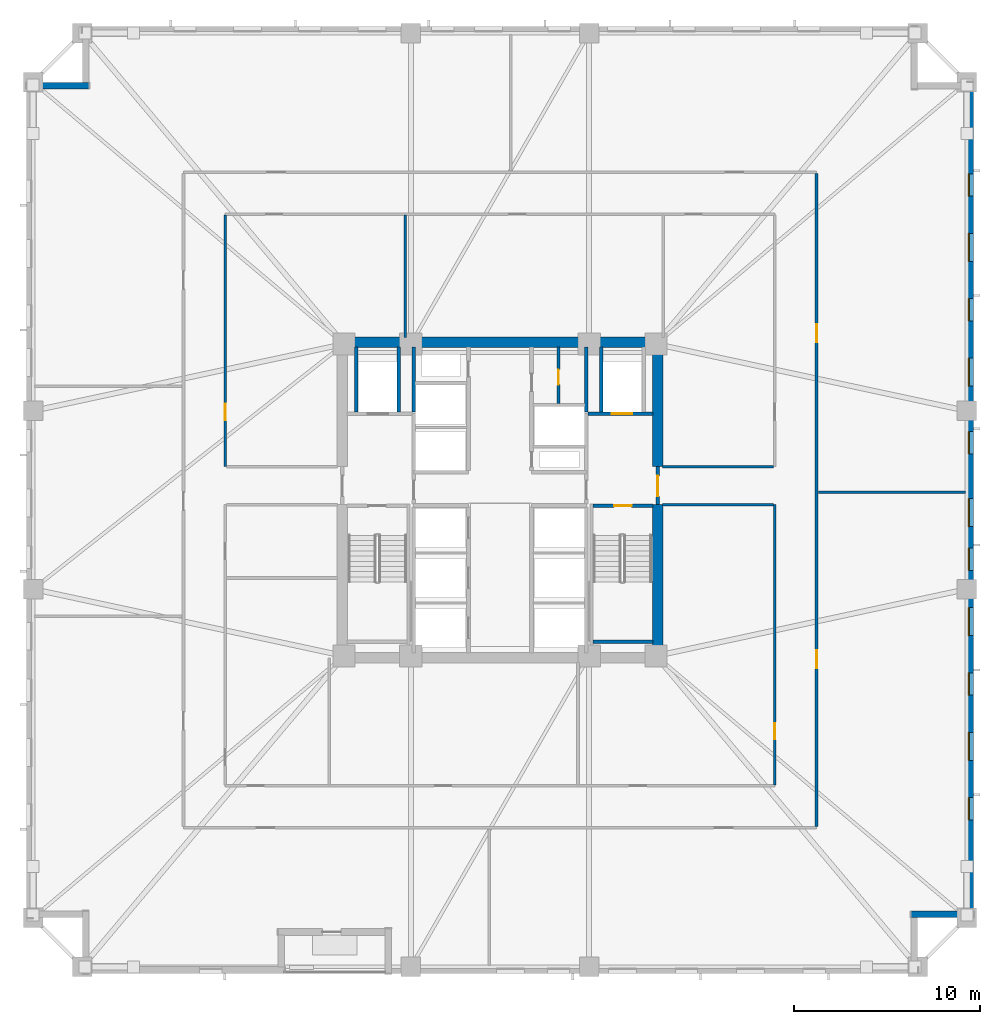
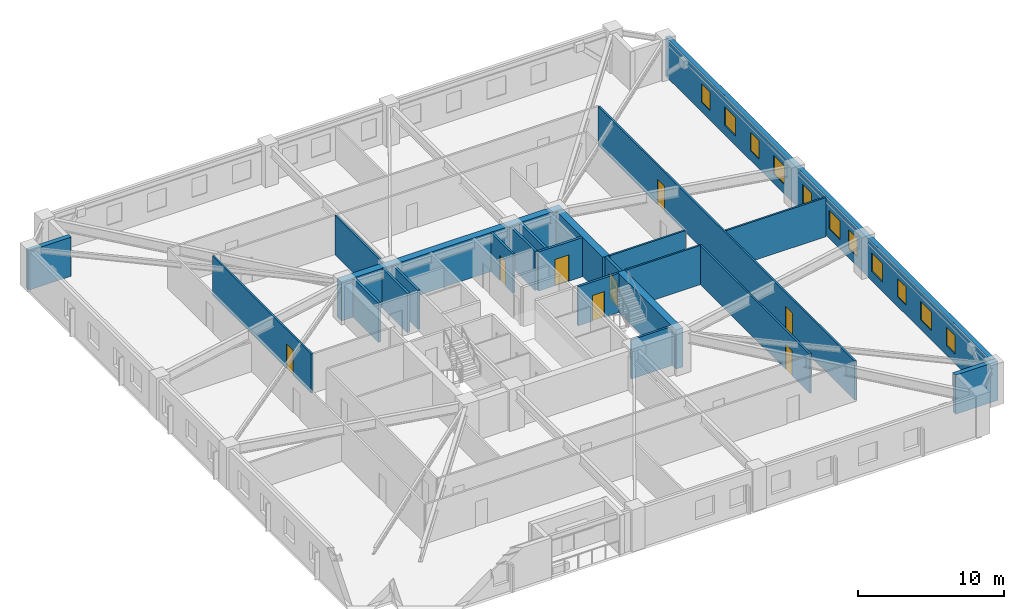
# One storey, part 4 of 10: 23 walls, 11 windows, 8 doors, 19 openings.
"""IFC4 building model written with IfcOpenShell, lengths in metres."""

from ifc_helpers import new_model, si_unit, direction, frame, frame_2d, origin, place, context, subcontext, project, spatial, rectangle, extrude, material, layer, layer_set, type_object, element, fill, save


model = new_model("IFC4")

# Units and contexts
model_context = context("Model", 3, precision=1e-05, world=origin(), true_north=direction((0.0, 1.0)))
body_context = subcontext(model_context, "Body", "Model", "MODEL_VIEW")
ifc_project = project(units=[si_unit("LENGTHUNIT", "METRE"), si_unit("AREAUNIT", "SQUARE_METRE"), si_unit("VOLUMEUNIT", "CUBIC_METRE"), si_unit("PLANEANGLEUNIT", "RADIAN"), si_unit("MASSUNIT", "GRAM", prefix="KILO")], contexts=[model_context])

# Site, building, storey
site_placement = place(None, origin())
site = spatial("IfcSite", under=ifc_project, at=site_placement, CompositionType="ELEMENT")
building_placement = place(site_placement, origin())
building = spatial("IfcBuilding", under=site, at=building_placement, Name="Cairnveth Concourse Tower", CompositionType="ELEMENT")
storey_placement = place(building_placement, frame((0.0, 0.0, 27.0)))
storey = spatial("IfcBuildingStorey", under=building, at=storey_placement, Name="L06", CompositionType="ELEMENT", Elevation=27.0)

# Wall, opening, door
ifc_material_1 = material(Name="Gypsum Plasterboard Partition", Category="gypsum")
ifc_layer_1 = layer(ifc_material_1, 0.159912109375)
ifc_layer_set_1 = layer_set([ifc_layer_1], Name="Gypsum Plasterboard Partition")
wall_type_1 = type_object("IfcWallType", Name="ACOUSTIC PARTY WALL 180", PredefinedType="PARTITIONING", material=ifc_layer_set_1)
wall_1_placement = place(storey_placement, frame((55.14990234375, 44.195068359375, 0.0), z_axis=(0.0, 0.0, 1.0), x_axis=(0.0, 1.0, 0.0)))
wall_1 = element("IfcWall", 1, at=wall_1_placement, inside=storey, type_object=wall_type_1, Name="Interior Wall IW-L06-037", PredefinedType="PARTITIONING", context=body_context, shape_type="SweptSolid", body=[
    extrude(rectangle(XDim=3.044921875, YDim=0.159912109375, at=frame_2d((1.5224609375, 0.0))), origin(), (0.0, 0.0, 1.0), 3.280029296875),
])
opening_1_placement = place(wall_1_placement, frame((1.02490234375, 0.0, 0.0)))
opening_1 = element("IfcOpeningElement", 2, at=opening_1_placement, cuts=wall_1, Name="Opening ID23", PredefinedType="OPENING", context=body_context, shape_type="SweptSolid", body=[
    extrude(rectangle(XDim=0.800048828125, YDim=2.10009765625, at=frame_2d((0.39990234375, 1.050048828125))), frame((0.0, 0.08984375, 0.0), z_axis=(0.0, -1.0, 0.0), x_axis=(1.0, 0.0, 0.0)), (0.0, 0.0, 1.0), 0.179931640625),
])
ifc_material_2 = material(Name="Steel Grade 350", Category="steel")
door_type_1 = type_object("IfcDoorType", Name="CORE SERVICE DOOR 800X2100", OperationType="NOTDEFINED", PredefinedType="DOOR", material=ifc_material_2)
door_1_placement = place(opening_1_placement, origin())
door_1 = element("IfcDoor", 3, at=door_1_placement, inside=storey, type_object=door_type_1, Name="NE Linen Closet Door L06", OperationType="SINGLE_SWING_LEFT", OverallHeight=2.10009765625, OverallWidth=0.800048828125, PredefinedType="DOOR", context=body_context, shape_type="SweptSolid", body=[
    extrude(rectangle(XDim=0.800048828125, YDim=2.10009765625, at=frame_2d((0.39990234375, 1.050048828125))), frame((0.0, 0.02490234375, 0.0), z_axis=(0.0, -1.0, 0.0), x_axis=(1.0, 0.0, 0.0)), (0.0, 0.0, 1.0), 0.050048828125),
])
fill(opening_1, door_1)

# Walls
ifc_material_3 = material(Name="Concrete N80 (80 MPa)", Category="concrete")
ifc_layer_2 = layer(ifc_material_3, 0.550048828125)
ifc_layer_set_2 = layer_set([ifc_layer_2], Name="Concrete N80 (80 MPa)")
wall_type_2 = type_object("IfcWallType", Name="CORE SHEAR WALL 550", PredefinedType="SHEAR", material=ifc_layer_set_2)
wall_2_placement = place(storey_placement, frame((43.22509765625, 47.5, 0.0), z_axis=(0.0, 0.0, 1.0), x_axis=(1.0, 0.0, 0.0)))
element("IfcWall", 4, at=wall_2_placement, inside=storey, type_object=wall_type_2, Name="Core North Shear Wall L06", PredefinedType="SHEAR", context=body_context, shape_type="SweptSolid", body=[
    extrude(rectangle(XDim=17.5498046875, YDim=0.550048828125, at=frame_2d((8.77490234375, 0.0))), origin(), (0.0, 0.0, 1.0), 3.280029296875),
])
wall_3_placement = place(storey_placement, frame((60.5, 30.764892578125, 0.0), z_axis=(0.0, 0.0, 1.0), x_axis=(0.0, 1.0, 0.0)))
element("IfcWall", 5, at=wall_3_placement, inside=storey, type_object=wall_type_2, Name="Core East Shear Wall S L06", PredefinedType="SHEAR", context=body_context, shape_type="SweptSolid", body=[
    extrude(rectangle(XDim=7.985107421875, YDim=0.550048828125, at=frame_2d((3.99267578125, 0.0))), origin(), (0.0, 0.0, 1.0), 3.280029296875),
])
wall_4_placement = place(storey_placement, frame((60.5, 40.800048828125, 0.0), z_axis=(0.0, 0.0, 1.0), x_axis=(0.0, 1.0, 0.0)))
element("IfcWall", 6, at=wall_4_placement, inside=storey, type_object=wall_type_2, Name="Core East Shear Wall N L06", PredefinedType="SHEAR", context=body_context, shape_type="SweptSolid", body=[
    extrude(rectangle(XDim=6.43505859375, YDim=0.550048828125, at=frame_2d((3.217529296875, 0.0))), origin(), (0.0, 0.0, 1.0), 3.280029296875),
])
ifc_material_4 = material(Name="Concrete N50 (50 MPa)", Category="concrete")
ifc_layer_3 = layer(ifc_material_4, 0.179931640625)
ifc_layer_set_3 = layer_set([ifc_layer_3], Name="Concrete N50 (50 MPa)")
wall_type_3 = type_object("IfcWallType", Name="FIRE SHAFT WALL 180", PredefinedType="SOLIDWALL", material=ifc_layer_set_3)
for number, where, z_axis, x_axis, name in (
    (7, (47.35009765625, 43.735107421875, 0.0), (0.0, 0.0, 1.0), (0.0, 1.0, 0.0), "Interior Wall IW-L06-031"),
    (8, (56.64990234375, 43.735107421875, 0.0), (0.0, 0.0, 1.0), (0.0, 1.0, 0.0), "Interior Wall IW-L06-034"),
):
    element("IfcWall", number, at=place(storey_placement, frame(where, z_axis=z_axis, x_axis=x_axis)), inside=storey, type_object=wall_type_3, Name=name, PredefinedType="SOLIDWALL", context=body_context, shape_type="SweptSolid", body=[
        extrude(rectangle(XDim=3.5048828125, YDim=0.179931640625, at=frame_2d((1.75244140625, 0.0))), origin(), (0.0, 0.0, 1.0), 3.280029296875),
    ])

# Wall, opening, door
wall_5_placement = place(storey_placement, frame((57.0048828125, 38.68994140625, 0.0), z_axis=(0.0, 0.0, 1.0), x_axis=(1.0, 0.0, 0.0)))
wall_5 = element("IfcWall", 9, at=wall_5_placement, inside=storey, type_object=wall_type_3, Name="Stair ST-2 Shaft Wall NEAR L06", PredefinedType="SOLIDWALL", context=body_context, shape_type="SweptSolid", body=[
    extrude(rectangle(XDim=3.230224609375, YDim=0.179931640625, at=frame_2d((1.615234375, 0.0))), origin(), (0.0, 0.0, 1.0), 3.280029296875),
])
opening_2_placement = place(wall_5_placement, frame((1.139892578125, 0.0, 0.0)))
opening_2 = element("IfcOpeningElement", 10, at=opening_2_placement, cuts=wall_5, Name="Opening ID12", PredefinedType="OPENING", context=body_context, shape_type="SweptSolid", body=[
    extrude(rectangle(XDim=0.949951171875, YDim=2.14990234375, at=frame_2d((0.47509765625, 1.074951171875))), frame((0.0, 0.099853515625, 0.0), z_axis=(0.0, -1.0, 0.0), x_axis=(1.0, 0.0, 0.0)), (0.0, 0.0, 1.0), 0.199951171875),
])
door_type_2 = type_object("IfcDoorType", Name="FIRE STAIR DOOR 950X2150", OperationType="NOTDEFINED", PredefinedType="DOOR", material=ifc_material_2)
door_2_placement = place(opening_2_placement, origin())
door_2 = element("IfcDoor", 11, at=door_2_placement, inside=storey, type_object=door_type_2, Name="Stair ST-2 Fire Door L06", OperationType="SINGLE_SWING_RIGHT", OverallHeight=2.14990234375, OverallWidth=0.949951171875, PredefinedType="DOOR", context=body_context, shape_type="SweptSolid", body=[
    extrude(rectangle(XDim=0.949951171875, YDim=2.14990234375, at=frame_2d((0.47509765625, 1.074951171875))), frame((0.0, 0.02490234375, 0.0), z_axis=(0.0, -1.0, 0.0), x_axis=(1.0, 0.0, 0.0)), (0.0, 0.0, 1.0), 0.050048828125),
])
fill(opening_2, door_2)

# Walls
wall_6_placement = place(storey_placement, frame((57.0048828125, 31.360107421875, 0.0), z_axis=(0.0, 0.0, 1.0), x_axis=(1.0, 0.0, 0.0)))
element("IfcWall", 12, at=wall_6_placement, inside=storey, type_object=wall_type_3, Name="Stair ST-2 Shaft Wall FAR L06", PredefinedType="SOLIDWALL", context=body_context, shape_type="SweptSolid", body=[
    extrude(rectangle(XDim=3.230224609375, YDim=0.179931640625, at=frame_2d((1.615234375, 0.0))), origin(), (0.0, 0.0, 1.0), 3.280029296875),
])
ifc_layer_4 = layer(ifc_material_4, 0.199951171875)
ifc_layer_set_4 = layer_set([ifc_layer_4], Name="Concrete N50 (50 MPa)")
wall_type_4 = type_object("IfcWallType", Name="FIRE SHAFT WALL 200", PredefinedType="SOLIDWALL", material=ifc_layer_set_4)
for number, where, z_axis, x_axis, name in (
    (13, (46.550048828125, 43.735107421875, 0.0), (0.0, 0.0, 1.0), (0.0, 1.0, 0.0), "Interior Wall IW-L06-018"),
    (14, (44.25, 43.735107421875, 0.0), (0.0, 0.0, 1.0), (0.0, 1.0, 0.0), "Interior Wall IW-L06-019"),
):
    element("IfcWall", number, at=place(storey_placement, frame(where, z_axis=z_axis, x_axis=x_axis)), inside=storey, type_object=wall_type_4, Name=name, PredefinedType="SOLIDWALL", context=body_context, shape_type="SweptSolid", body=[
        extrude(rectangle(XDim=3.5048828125, YDim=0.199951171875, at=frame_2d((1.75244140625, 0.0))), origin(), (0.0, 0.0, 1.0), 3.280029296875),
    ])

# Wall, opening, door
wall_7_placement = place(storey_placement, frame((60.5, 38.75, 0.0), z_axis=(0.0, 0.0, 1.0), x_axis=(0.0, 1.0, 0.0)))
wall_7 = element("IfcWall", 15, at=wall_7_placement, inside=storey, type_object=wall_type_4, Name="Interior Wall IW-L06-020", PredefinedType="SOLIDWALL", context=body_context, shape_type="SweptSolid", body=[
    extrude(rectangle(XDim=2.050048828125, YDim=0.199951171875, at=frame_2d((1.02490234375, 0.0))), origin(), (0.0, 0.0, 1.0), 3.280029296875),
])
opening_3_placement = place(wall_7_placement, frame((0.449951171875, 0.0, 0.0)))
opening_3 = element("IfcOpeningElement", 16, at=opening_3_placement, cuts=wall_7, Name="Opening ID06", PredefinedType="OPENING", context=body_context, shape_type="SweptSolid", body=[
    extrude(rectangle(XDim=1.10009765625, YDim=2.14990234375, at=frame_2d((0.550048828125, 1.074951171875))), frame((0.0, 0.10986328125, 0.0), z_axis=(0.0, -1.0, 0.0), x_axis=(1.0, 0.0, 0.0)), (0.0, 0.0, 1.0), 0.219970703125),
])
door_type_3 = type_object("IfcDoorType", Name="FIRE CORRIDOR DOOR 1100X2150", OperationType="NOTDEFINED", PredefinedType="DOOR", material=ifc_material_2)
door_3_placement = place(opening_3_placement, origin())
door_3 = element("IfcDoor", 17, at=door_3_placement, inside=storey, type_object=door_type_3, Name="East Wing to FF Lobby Door L06", OperationType="SINGLE_SWING_RIGHT", OverallHeight=2.14990234375, OverallWidth=1.10009765625, PredefinedType="DOOR", context=body_context, shape_type="SweptSolid", body=[
    extrude(rectangle(XDim=1.10009765625, YDim=2.14990234375, at=frame_2d((0.550048828125, 1.074951171875))), frame((0.0, 0.02490234375, 0.0), z_axis=(0.0, -1.0, 0.0), x_axis=(1.0, 0.0, 0.0)), (0.0, 0.0, 1.0), 0.050048828125),
])
fill(opening_3, door_3)

wall_8_placement = place(storey_placement, frame((56.735107421875, 43.64990234375, 0.0), z_axis=(0.0, 0.0, 1.0), x_axis=(1.0, 0.0, 0.0)))
wall_8 = element("IfcWall", 18, at=wall_8_placement, inside=storey, type_object=wall_type_4, Name="Interior Wall IW-L06-022", PredefinedType="SOLIDWALL", context=body_context, shape_type="SweptSolid", body=[
    extrude(rectangle(XDim=3.5048828125, YDim=0.199951171875, at=frame_2d((1.75244140625, 0.0))), origin(), (0.0, 0.0, 1.0), 3.280029296875),
])
opening_4_placement = place(wall_8_placement, frame((1.294921875, 0.0, 0.0)))
opening_4 = element("IfcOpeningElement", 19, at=opening_4_placement, cuts=wall_8, Name="Opening LD-1", PredefinedType="OPENING", context=body_context, shape_type="SweptSolid", body=[
    extrude(rectangle(XDim=1.10009765625, YDim=2.199951171875, at=frame_2d((0.550048828125, 1.10009765625))), frame((0.0, 0.10986328125, 0.0), z_axis=(0.0, -1.0, 0.0), x_axis=(1.0, 0.0, 0.0)), (0.0, 0.0, 1.0), 0.219970703125),
])
ifc_material_5 = material(Name="Architectural Bronze Anodised Aluminium 6063-T6", Category="aluminium")
door_type_4 = type_object("IfcDoorType", Name="LIFT LANDING DOOR 1100X2200", OperationType="SLIDING_TO_LEFT", PredefinedType="DOOR", material=ifc_material_5)
door_4_placement = place(opening_4_placement, origin())
door_4 = element("IfcDoor", 20, at=door_4_placement, inside=storey, type_object=door_type_4, Name="Lift FFL2 Landing Door L06", OperationType="SLIDING_TO_LEFT", OverallHeight=2.199951171875, OverallWidth=1.10009765625, PredefinedType="DOOR", context=body_context, shape_type="SweptSolid", body=[
    extrude(rectangle(XDim=1.10009765625, YDim=2.199951171875, at=frame_2d((0.550048828125, 1.10009765625))), frame((0.0, 0.02490234375, 0.0), z_axis=(0.0, -1.0, 0.0), x_axis=(1.0, 0.0, 0.0)), (0.0, 0.0, 1.0), 0.050048828125),
])
fill(opening_4, door_4)

# Wall
wall_9_placement = place(storey_placement, frame((57.449951171875, 43.735107421875, 0.0), z_axis=(0.0, 0.0, 1.0), x_axis=(0.0, 1.0, 0.0)))
element("IfcWall", 21, at=wall_9_placement, inside=storey, type_object=wall_type_4, Name="Interior Wall IW-L06-023", PredefinedType="SOLIDWALL", context=body_context, shape_type="SweptSolid", body=[
    extrude(rectangle(XDim=3.5048828125, YDim=0.199951171875, at=frame_2d((1.75244140625, 0.0))), origin(), (0.0, 0.0, 1.0), 3.280029296875),
])

# Wall, openings, doors
ifc_layer_5 = layer(ifc_material_1, 0.139892578125)
ifc_layer_set_5 = layer_set([ifc_layer_5], Name="Gypsum Plasterboard Partition")
wall_type_5 = type_object("IfcWallType", Name="GYPSUM STUD PARTITION 140", PredefinedType="PARTITIONING", material=ifc_layer_set_5)
wall_10_placement = place(storey_placement, frame((69.050048828125, 21.405029296875, 0.0), z_axis=(0.0, 0.0, 1.0), x_axis=(0.0, 1.0, 0.0)))
wall_10 = element("IfcWall", 22, at=wall_10_placement, inside=storey, type_object=wall_type_5, Name="Interior Wall IW-L06-041", PredefinedType="PARTITIONING", context=body_context, shape_type="SweptSolid", body=[
    extrude(rectangle(XDim=35.18994140625, YDim=0.139892578125, at=frame_2d((17.594970703125, 0.0))), origin(), (0.0, 0.0, 1.0), 3.280029296875),
])
opening_5_placement = place(wall_10_placement, frame((8.544921875, 0.0, 0.0)))
opening_5 = element("IfcOpeningElement", 23, at=opening_5_placement, cuts=wall_10, Name="Opening ID11", PredefinedType="OPENING", context=body_context, shape_type="SweptSolid", body=[
    extrude(rectangle(XDim=0.9599609375, YDim=2.1201171875, at=frame_2d((0.47998046875, 1.06005859375))), frame((0.0, 0.079833984375, 0.0), z_axis=(0.0, -1.0, 0.0), x_axis=(1.0, 0.0, 0.0)), (0.0, 0.0, 1.0), 0.159912109375),
])
opening_6_placement = place(wall_10_placement, frame((26.0947265625, 0.0, 0.0)))
opening_6 = element("IfcOpeningElement", 24, at=opening_6_placement, cuts=wall_10, Name="Opening ID11", PredefinedType="OPENING", context=body_context, shape_type="SweptSolid", body=[
    extrude(rectangle(XDim=0.9599609375, YDim=2.1201171875, at=frame_2d((0.47998046875, 1.06005859375))), frame((0.0, 0.079833984375, 0.0), z_axis=(0.0, -1.0, 0.0), x_axis=(1.0, 0.0, 0.0)), (0.0, 0.0, 1.0), 0.159912109375),
])
ifc_material_6 = material(Name="Solid Core Hardwood Timber Leaf", Category="wood")
door_type_5 = type_object("IfcDoorType", Name="INTERIOR SINGLE DOOR 960X2150", OperationType="NOTDEFINED", PredefinedType="DOOR", material=ifc_material_6)
door_5_placement = place(opening_5_placement, origin())
door_5 = element("IfcDoor", 25, at=door_5_placement, inside=storey, type_object=door_type_5, Name="Office Door L06-E1", OperationType="SINGLE_SWING_RIGHT", OverallHeight=2.1201171875, OverallWidth=0.9599609375, PredefinedType="DOOR", context=body_context, shape_type="SweptSolid", body=[
    extrude(rectangle(XDim=0.9599609375, YDim=2.1201171875, at=frame_2d((0.47998046875, 1.06005859375))), frame((0.0, 0.02490234375, 0.0), z_axis=(0.0, -1.0, 0.0), x_axis=(1.0, 0.0, 0.0)), (0.0, 0.0, 1.0), 0.050048828125),
])
fill(opening_5, door_5)
door_6_placement = place(opening_6_placement, origin())
door_6 = element("IfcDoor", 26, at=door_6_placement, inside=storey, type_object=door_type_5, Name="Office Door L06-E2", OperationType="SINGLE_SWING_LEFT", OverallHeight=2.1201171875, OverallWidth=0.9599609375, PredefinedType="DOOR", context=body_context, shape_type="SweptSolid", body=[
    extrude(rectangle(XDim=0.9599609375, YDim=2.1201171875, at=frame_2d((0.47998046875, 1.06005859375))), frame((0.0, 0.02490234375, 0.0), z_axis=(0.0, -1.0, 0.0), x_axis=(1.0, 0.0, 0.0)), (0.0, 0.0, 1.0), 0.050048828125),
])
fill(opening_6, door_6)

# Wall, opening, door
wall_11_placement = place(storey_placement, frame((37.199951171875, 40.800048828125, 0.0), z_axis=(0.0, 0.0, 1.0), x_axis=(0.0, 1.0, 0.0)))
wall_11 = element("IfcWall", 27, at=wall_11_placement, inside=storey, type_object=wall_type_5, Name="Interior Wall IW-L06-045", PredefinedType="PARTITIONING", context=body_context, shape_type="SweptSolid", body=[
    extrude(rectangle(XDim=13.544921875, YDim=0.139892578125, at=frame_2d((6.7724609375, 0.0))), origin(), (0.0, 0.0, 1.0), 3.280029296875),
])
opening_7_placement = place(wall_11_placement, frame((2.5, 0.0, 0.0)))
opening_7 = element("IfcOpeningElement", 28, at=opening_7_placement, cuts=wall_11, Name="Opening ID18", PredefinedType="OPENING", context=body_context, shape_type="SweptSolid", body=[
    extrude(rectangle(XDim=0.8798828125, YDim=2.10009765625, at=frame_2d((0.43994140625, 1.050048828125))), frame((0.0, 0.079833984375, 0.0), z_axis=(0.0, -1.0, 0.0), x_axis=(1.0, 0.0, 0.0)), (0.0, 0.0, 1.0), 0.159912109375),
])
door_type_6 = type_object("IfcDoorType", Name="INTERIOR SINGLE DOOR 880X2100", OperationType="NOTDEFINED", PredefinedType="DOOR", material=ifc_material_6)
door_7_placement = place(opening_7_placement, origin())
door_7 = element("IfcDoor", 29, at=door_7_placement, inside=storey, type_object=door_type_6, Name="Interior Door DR-L06-022", OperationType="SINGLE_SWING_RIGHT", OverallHeight=2.10009765625, OverallWidth=0.8798828125, PredefinedType="DOOR", context=body_context, shape_type="SweptSolid", body=[
    extrude(rectangle(XDim=0.8798828125, YDim=2.10009765625, at=frame_2d((0.43994140625, 1.050048828125))), frame((0.0, 0.02490234375, 0.0), z_axis=(0.0, -1.0, 0.0), x_axis=(1.0, 0.0, 0.0)), (0.0, 0.0, 1.0), 0.050048828125),
])
fill(opening_7, door_7)

wall_12_placement = place(storey_placement, frame((66.800048828125, 23.655029296875, 0.0), z_axis=(0.0, 0.0, 1.0), x_axis=(0.0, 1.0, 0.0)))
wall_12 = element("IfcWall", 30, at=wall_12_placement, inside=storey, type_object=wall_type_5, Name="Interior Wall IW-L06-048", PredefinedType="PARTITIONING", context=body_context, shape_type="SweptSolid", body=[
    extrude(rectangle(XDim=15.094970703125, YDim=0.139892578125, at=frame_2d((7.54736328125, 0.0))), origin(), (0.0, 0.0, 1.0), 3.280029296875),
])
opening_8_placement = place(wall_12_placement, frame((2.445068359375, 0.0, 0.0)))
opening_8 = element("IfcOpeningElement", 31, at=opening_8_placement, cuts=wall_12, Name="Opening ID18", PredefinedType="OPENING", context=body_context, shape_type="SweptSolid", body=[
    extrude(rectangle(XDim=0.8798828125, YDim=2.10009765625, at=frame_2d((0.43994140625, 1.050048828125))), frame((0.0, 0.079833984375, 0.0), z_axis=(0.0, -1.0, 0.0), x_axis=(1.0, 0.0, 0.0)), (0.0, 0.0, 1.0), 0.159912109375),
])
door_8_placement = place(opening_8_placement, origin())
door_8 = element("IfcDoor", 32, at=door_8_placement, inside=storey, type_object=door_type_6, Name="Interior Door DR-L06-023", OperationType="SINGLE_SWING_LEFT", OverallHeight=2.10009765625, OverallWidth=0.8798828125, PredefinedType="DOOR", context=body_context, shape_type="SweptSolid", body=[
    extrude(rectangle(XDim=0.8798828125, YDim=2.10009765625, at=frame_2d((0.43994140625, 1.050048828125))), frame((0.0, 0.02490234375, 0.0), z_axis=(0.0, -1.0, 0.0), x_axis=(1.0, 0.0, 0.0)), (0.0, 0.0, 1.0), 0.050048828125),
])
fill(opening_8, door_8)

# Walls
for number, where, z_axis, x_axis, name in (
    (33, (60.760009765625, 38.75, 0.0), (0.0, 0.0, 1.0), (1.0, 0.0, 0.0), "Interior Wall IW-L06-050"),
    (34, (60.760009765625, 40.800048828125, 0.0), (0.0, 0.0, 1.0), (1.0, 0.0, 0.0), "Interior Wall IW-L06-051"),
):
    element("IfcWall", number, at=place(storey_placement, frame(where, z_axis=z_axis, x_axis=x_axis)), inside=storey, type_object=wall_type_5, Name=name, PredefinedType="PARTITIONING", context=body_context, shape_type="SweptSolid", body=[
        extrude(rectangle(XDim=5.985107421875, YDim=0.139892578125, at=frame_2d((2.99267578125, 0.0))), origin(), (0.0, 0.0, 1.0), 3.280029296875),
    ])
wall_13_placement = place(storey_placement, frame((46.89990234375, 47.760009765625, 0.0), z_axis=(0.0, 0.0, 1.0), x_axis=(0.0, 1.0, 0.0)))
element("IfcWall", 35, at=wall_13_placement, inside=storey, type_object=wall_type_5, Name="Interior Wall IW-L06-054", PredefinedType="PARTITIONING", context=body_context, shape_type="SweptSolid", body=[
    extrude(rectangle(XDim=6.5849609375, YDim=0.139892578125, at=frame_2d((3.29248046875, 0.0))), origin(), (0.0, 0.0, 1.0), 3.280029296875),
])
wall_14_placement = place(storey_placement, frame((69.14990234375, 39.409423828125, 0.0), z_axis=(0.0, 0.0, 1.0), x_axis=(1.0, 0.0, 0.0)))
element("IfcWall", 36, at=wall_14_placement, inside=storey, type_object=wall_type_5, Name="Interior Wall IW-L06-061", PredefinedType="PARTITIONING", context=body_context, shape_type="SweptSolid", body=[
    extrude(rectangle(XDim=7.93017578125, YDim=0.139892578125, at=frame_2d((3.965087890625, 0.0))), origin(), (0.0, 0.0, 1.0), 3.280029296875),
])
ifc_material_7 = material(Name="Hawthorn Red-Ochre Fired Clay Brick Masonry", Category="masonry")
ifc_layer_6 = layer(ifc_material_7, 0.360107421875)
ifc_layer_set_6 = layer_set([ifc_layer_6], Name="Hawthorn Red-Ochre Fired Clay Brick Masonry")
wall_type_6 = type_object("IfcWallType", Name="ZONE 1 BRICK PIER SPANDREL WALL 360", PredefinedType="SOLIDWALL", material=ifc_layer_set_6)
wall_15_placement = place(storey_placement, frame((26.5, 61.320068359375, 0.0), z_axis=(0.0, 0.0, 1.0), x_axis=(1.0, 0.0, 0.0)))
element("IfcWall", 37, at=wall_15_placement, inside=storey, type_object=wall_type_6, Name="Exterior Wall EW-L06-S04", PredefinedType="SOLIDWALL", context=body_context, shape_type="SweptSolid", body=[
    extrude(rectangle(XDim=3.360107421875, YDim=0.360107421875, at=frame_2d((1.68017578125, 0.0))), origin(), (0.0, 0.0, 1.0), 3.280029296875),
])

# Wall, openings, windows
wall_16_placement = place(storey_placement, frame((77.320068359375, 61.5, 0.0), z_axis=(0.0, 0.0, 1.0), x_axis=(0.0, -1.0, 0.0)))
wall_16 = element("IfcWall", 38, at=wall_16_placement, inside=storey, type_object=wall_type_6, Name="Exterior Wall EW-L06-S09", PredefinedType="SOLIDWALL", context=body_context, shape_type="SweptSolid", body=[
    extrude(rectangle(XDim=44.662109375, YDim=0.360107421875, at=frame_2d((22.3310546875, 0.0))), origin(), (0.0, 0.0, 1.0), 3.280029296875),
])
opening_9_placement = place(wall_16_placement, frame((4.93017578125, 0.0, 0.800048828125)))
opening_9 = element("IfcOpeningElement", 39, at=opening_9_placement, cuts=wall_16, Name="Opening W01", PredefinedType="OPENING", context=body_context, shape_type="SweptSolid", body=[
    extrude(rectangle(XDim=1.199951171875, YDim=1.5439453125, at=frame_2d((0.60009765625, 0.77197265625))), frame((0.0, 0.18994140625, 0.0), z_axis=(0.0, -1.0, 0.0), x_axis=(1.0, 0.0, 0.0)), (0.0, 0.0, 1.0), 0.380126953125),
])
opening_10_placement = place(wall_16_placement, frame((8.140380859375, 0.0, 0.800048828125)))
opening_10 = element("IfcOpeningElement", 40, at=opening_10_placement, cuts=wall_16, Name="Opening W03", PredefinedType="OPENING", context=body_context, shape_type="SweptSolid", body=[
    extrude(rectangle(XDim=1.5, YDim=1.5439453125, at=frame_2d((0.75, 0.77197265625))), frame((0.0, 0.18994140625, 0.0), z_axis=(0.0, -1.0, 0.0), x_axis=(1.0, 0.0, 0.0)), (0.0, 0.0, 1.0), 0.380126953125),
])
opening_11_placement = place(wall_16_placement, frame((11.650390625, 0.0, 0.800048828125)))
opening_11 = element("IfcOpeningElement", 41, at=opening_11_placement, cuts=wall_16, Name="Opening W01", PredefinedType="OPENING", context=body_context, shape_type="SweptSolid", body=[
    extrude(rectangle(XDim=1.199951171875, YDim=1.5439453125, at=frame_2d((0.60009765625, 0.77197265625))), frame((0.0, 0.18994140625, 0.0), z_axis=(0.0, -1.0, 0.0), x_axis=(1.0, 0.0, 0.0)), (0.0, 0.0, 1.0), 0.380126953125),
])
opening_12_placement = place(wall_16_placement, frame((14.860595703125, 0.0, 0.800048828125)))
opening_12 = element("IfcOpeningElement", 42, at=opening_12_placement, cuts=wall_16, Name="Opening W03", PredefinedType="OPENING", context=body_context, shape_type="SweptSolid", body=[
    extrude(rectangle(XDim=1.5, YDim=1.5439453125, at=frame_2d((0.75, 0.77197265625))), frame((0.0, 0.18994140625, 0.0), z_axis=(0.0, -1.0, 0.0), x_axis=(1.0, 0.0, 0.0)), (0.0, 0.0, 1.0), 0.380126953125),
])
opening_13_placement = place(wall_16_placement, frame((18.82080078125, 0.0, 0.800048828125)))
opening_13 = element("IfcOpeningElement", 43, at=opening_13_placement, cuts=wall_16, Name="Opening W01", PredefinedType="OPENING", context=body_context, shape_type="SweptSolid", body=[
    extrude(rectangle(XDim=1.199951171875, YDim=1.5439453125, at=frame_2d((0.60009765625, 0.77197265625))), frame((0.0, 0.18994140625, 0.0), z_axis=(0.0, -1.0, 0.0), x_axis=(1.0, 0.0, 0.0)), (0.0, 0.0, 1.0), 0.380126953125),
])
opening_14_placement = place(wall_16_placement, frame((22.430908203125, 0.0, 0.800048828125)))
opening_14 = element("IfcOpeningElement", 44, at=opening_14_placement, cuts=wall_16, Name="Opening W03", PredefinedType="OPENING", context=body_context, shape_type="SweptSolid", body=[
    extrude(rectangle(XDim=1.5, YDim=1.5439453125, at=frame_2d((0.75, 0.77197265625))), frame((0.0, 0.18994140625, 0.0), z_axis=(0.0, -1.0, 0.0), x_axis=(1.0, 0.0, 0.0)), (0.0, 0.0, 1.0), 0.380126953125),
])
opening_15_placement = place(wall_16_placement, frame((25.09130859375, 0.0, 0.800048828125)))
opening_15 = element("IfcOpeningElement", 45, at=opening_15_placement, cuts=wall_16, Name="Opening W01", PredefinedType="OPENING", context=body_context, shape_type="SweptSolid", body=[
    extrude(rectangle(XDim=1.199951171875, YDim=1.5439453125, at=frame_2d((0.60009765625, 0.77197265625))), frame((0.0, 0.18994140625, 0.0), z_axis=(0.0, -1.0, 0.0), x_axis=(1.0, 0.0, 0.0)), (0.0, 0.0, 1.0), 0.380126953125),
])
opening_16_placement = place(wall_16_placement, frame((28.301513671875, 0.0, 0.800048828125)))
opening_16 = element("IfcOpeningElement", 46, at=opening_16_placement, cuts=wall_16, Name="Opening W03", PredefinedType="OPENING", context=body_context, shape_type="SweptSolid", body=[
    extrude(rectangle(XDim=1.5, YDim=1.5439453125, at=frame_2d((0.75, 0.77197265625))), frame((0.0, 0.18994140625, 0.0), z_axis=(0.0, -1.0, 0.0), x_axis=(1.0, 0.0, 0.0)), (0.0, 0.0, 1.0), 0.380126953125),
])
opening_17_placement = place(wall_16_placement, frame((31.8115234375, 0.0, 0.800048828125)))
opening_17 = element("IfcOpeningElement", 47, at=opening_17_placement, cuts=wall_16, Name="Opening W01", PredefinedType="OPENING", context=body_context, shape_type="SweptSolid", body=[
    extrude(rectangle(XDim=1.199951171875, YDim=1.5439453125, at=frame_2d((0.60009765625, 0.77197265625))), frame((0.0, 0.18994140625, 0.0), z_axis=(0.0, -1.0, 0.0), x_axis=(1.0, 0.0, 0.0)), (0.0, 0.0, 1.0), 0.380126953125),
])
opening_18_placement = place(wall_16_placement, frame((35.021728515625, 0.0, 0.800048828125)))
opening_18 = element("IfcOpeningElement", 48, at=opening_18_placement, cuts=wall_16, Name="Opening W03", PredefinedType="OPENING", context=body_context, shape_type="SweptSolid", body=[
    extrude(rectangle(XDim=1.5, YDim=1.5439453125, at=frame_2d((0.75, 0.77197265625))), frame((0.0, 0.18994140625, 0.0), z_axis=(0.0, -1.0, 0.0), x_axis=(1.0, 0.0, 0.0)), (0.0, 0.0, 1.0), 0.380126953125),
])
opening_19_placement = place(wall_16_placement, frame((38.531982421875, 0.0, 0.800048828125)))
opening_19 = element("IfcOpeningElement", 49, at=opening_19_placement, cuts=wall_16, Name="Opening W01", PredefinedType="OPENING", context=body_context, shape_type="SweptSolid", body=[
    extrude(rectangle(XDim=1.199951171875, YDim=1.5439453125, at=frame_2d((0.60009765625, 0.77197265625))), frame((0.0, 0.18994140625, 0.0), z_axis=(0.0, -1.0, 0.0), x_axis=(1.0, 0.0, 0.0)), (0.0, 0.0, 1.0), 0.380126953125),
])
ifc_material_8 = material(Name="Double Glazed Low-E Clear Glass", Category="glass")
window_type_1 = type_object("IfcWindowType", Name="DEEP-SET GOTHIC LANCET WINDOW 1200X1800", PartitioningType="DOUBLE_PANEL_VERTICAL", PredefinedType="WINDOW", material=ifc_material_8)
window_1_placement = place(opening_9_placement, origin())
window_1 = element("IfcWindow", 50, at=window_1_placement, inside=storey, type_object=window_type_1, Name="Gothic Lancet Window L06-9-1", OverallHeight=1.5439453125, OverallWidth=1.199951171875, PartitioningType="SINGLE_PANEL", PredefinedType="WINDOW", context=body_context, shape_type="SweptSolid", body=[
    extrude(rectangle(XDim=1.199951171875, YDim=1.5439453125, at=frame_2d((0.60009765625, 0.77197265625))), frame((0.0, -0.050048828125, 0.0), z_axis=(0.0, -1.0, 0.0), x_axis=(1.0, 0.0, 0.0)), (0.0, 0.0, 1.0), 0.06005859375),
])
fill(opening_9, window_1)
window_2_placement = place(opening_11_placement, origin())
window_2 = element("IfcWindow", 51, at=window_2_placement, inside=storey, type_object=window_type_1, Name="Gothic Lancet Window L06-9-3", OverallHeight=1.5439453125, OverallWidth=1.199951171875, PartitioningType="SINGLE_PANEL", PredefinedType="WINDOW", context=body_context, shape_type="SweptSolid", body=[
    extrude(rectangle(XDim=1.199951171875, YDim=1.5439453125, at=frame_2d((0.60009765625, 0.77197265625))), frame((0.0, -0.050048828125, 0.0), z_axis=(0.0, -1.0, 0.0), x_axis=(1.0, 0.0, 0.0)), (0.0, 0.0, 1.0), 0.06005859375),
])
fill(opening_11, window_2)
window_3_placement = place(opening_13_placement, origin())
window_3 = element("IfcWindow", 52, at=window_3_placement, inside=storey, type_object=window_type_1, Name="Gothic Lancet Window L06-9-5", OverallHeight=1.5439453125, OverallWidth=1.199951171875, PartitioningType="SINGLE_PANEL", PredefinedType="WINDOW", context=body_context, shape_type="SweptSolid", body=[
    extrude(rectangle(XDim=1.199951171875, YDim=1.5439453125, at=frame_2d((0.60009765625, 0.77197265625))), frame((0.0, -0.050048828125, 0.0), z_axis=(0.0, -1.0, 0.0), x_axis=(1.0, 0.0, 0.0)), (0.0, 0.0, 1.0), 0.06005859375),
])
fill(opening_13, window_3)
window_4_placement = place(opening_15_placement, origin())
window_4 = element("IfcWindow", 53, at=window_4_placement, inside=storey, type_object=window_type_1, Name="Gothic Lancet Window L06-9-7", OverallHeight=1.5439453125, OverallWidth=1.199951171875, PartitioningType="SINGLE_PANEL", PredefinedType="WINDOW", context=body_context, shape_type="SweptSolid", body=[
    extrude(rectangle(XDim=1.199951171875, YDim=1.5439453125, at=frame_2d((0.60009765625, 0.77197265625))), frame((0.0, -0.050048828125, 0.0), z_axis=(0.0, -1.0, 0.0), x_axis=(1.0, 0.0, 0.0)), (0.0, 0.0, 1.0), 0.06005859375),
])
fill(opening_15, window_4)
window_5_placement = place(opening_17_placement, origin())
window_5 = element("IfcWindow", 54, at=window_5_placement, inside=storey, type_object=window_type_1, Name="Gothic Lancet Window L06-9-9", OverallHeight=1.5439453125, OverallWidth=1.199951171875, PartitioningType="SINGLE_PANEL", PredefinedType="WINDOW", context=body_context, shape_type="SweptSolid", body=[
    extrude(rectangle(XDim=1.199951171875, YDim=1.5439453125, at=frame_2d((0.60009765625, 0.77197265625))), frame((0.0, -0.050048828125, 0.0), z_axis=(0.0, -1.0, 0.0), x_axis=(1.0, 0.0, 0.0)), (0.0, 0.0, 1.0), 0.06005859375),
])
fill(opening_17, window_5)
window_6_placement = place(opening_19_placement, origin())
window_6 = element("IfcWindow", 55, at=window_6_placement, inside=storey, type_object=window_type_1, Name="Gothic Lancet Window L06-9-11", OverallHeight=1.5439453125, OverallWidth=1.199951171875, PartitioningType="SINGLE_PANEL", PredefinedType="WINDOW", context=body_context, shape_type="SweptSolid", body=[
    extrude(rectangle(XDim=1.199951171875, YDim=1.5439453125, at=frame_2d((0.60009765625, 0.77197265625))), frame((0.0, -0.050048828125, 0.0), z_axis=(0.0, -1.0, 0.0), x_axis=(1.0, 0.0, 0.0)), (0.0, 0.0, 1.0), 0.06005859375),
])
fill(opening_19, window_6)
window_type_2 = type_object("IfcWindowType", Name="DEEP-SET GOTHIC LANCET WINDOW 1500X1800", PartitioningType="DOUBLE_PANEL_VERTICAL", PredefinedType="WINDOW", material=ifc_material_8)
window_7_placement = place(opening_10_placement, origin())
window_7 = element("IfcWindow", 56, at=window_7_placement, inside=storey, type_object=window_type_2, Name="Gothic Lancet Window L06-9-2", OverallHeight=1.5439453125, OverallWidth=1.5, PartitioningType="SINGLE_PANEL", PredefinedType="WINDOW", context=body_context, shape_type="SweptSolid", body=[
    extrude(rectangle(XDim=1.5, YDim=1.5439453125, at=frame_2d((0.75, 0.77197265625))), frame((0.0, -0.050048828125, 0.0), z_axis=(0.0, -1.0, 0.0), x_axis=(1.0, 0.0, 0.0)), (0.0, 0.0, 1.0), 0.06005859375),
])
fill(opening_10, window_7)
window_8_placement = place(opening_12_placement, origin())
window_8 = element("IfcWindow", 57, at=window_8_placement, inside=storey, type_object=window_type_2, Name="Gothic Lancet Window L06-9-4", OverallHeight=1.5439453125, OverallWidth=1.5, PartitioningType="SINGLE_PANEL", PredefinedType="WINDOW", context=body_context, shape_type="SweptSolid", body=[
    extrude(rectangle(XDim=1.5, YDim=1.5439453125, at=frame_2d((0.75, 0.77197265625))), frame((0.0, -0.050048828125, 0.0), z_axis=(0.0, -1.0, 0.0), x_axis=(1.0, 0.0, 0.0)), (0.0, 0.0, 1.0), 0.06005859375),
])
fill(opening_12, window_8)
window_9_placement = place(opening_14_placement, origin())
window_9 = element("IfcWindow", 58, at=window_9_placement, inside=storey, type_object=window_type_2, Name="Gothic Lancet Window L06-9-6", OverallHeight=1.5439453125, OverallWidth=1.5, PartitioningType="SINGLE_PANEL", PredefinedType="WINDOW", context=body_context, shape_type="SweptSolid", body=[
    extrude(rectangle(XDim=1.5, YDim=1.5439453125, at=frame_2d((0.75, 0.77197265625))), frame((0.0, -0.050048828125, 0.0), z_axis=(0.0, -1.0, 0.0), x_axis=(1.0, 0.0, 0.0)), (0.0, 0.0, 1.0), 0.06005859375),
])
fill(opening_14, window_9)
window_10_placement = place(opening_16_placement, origin())
window_10 = element("IfcWindow", 59, at=window_10_placement, inside=storey, type_object=window_type_2, Name="Gothic Lancet Window L06-9-8", OverallHeight=1.5439453125, OverallWidth=1.5, PartitioningType="SINGLE_PANEL", PredefinedType="WINDOW", context=body_context, shape_type="SweptSolid", body=[
    extrude(rectangle(XDim=1.5, YDim=1.5439453125, at=frame_2d((0.75, 0.77197265625))), frame((0.0, -0.050048828125, 0.0), z_axis=(0.0, -1.0, 0.0), x_axis=(1.0, 0.0, 0.0)), (0.0, 0.0, 1.0), 0.06005859375),
])
fill(opening_16, window_10)
window_11_placement = place(opening_18_placement, origin())
window_11 = element("IfcWindow", 60, at=window_11_placement, inside=storey, type_object=window_type_2, Name="Gothic Lancet Window L06-9-10", OverallHeight=1.5439453125, OverallWidth=1.5, PartitioningType="SINGLE_PANEL", PredefinedType="WINDOW", context=body_context, shape_type="SweptSolid", body=[
    extrude(rectangle(XDim=1.5, YDim=1.5439453125, at=frame_2d((0.75, 0.77197265625))), frame((0.0, -0.050048828125, 0.0), z_axis=(0.0, -1.0, 0.0), x_axis=(1.0, 0.0, 0.0)), (0.0, 0.0, 1.0), 0.06005859375),
])
fill(opening_18, window_11)

# Wall
wall_17_placement = place(storey_placement, frame((77.5, 16.679931640625, 0.0), z_axis=(0.0, 0.0, 1.0), x_axis=(-1.0, 0.0, 0.0)))
element("IfcWall", 61, at=wall_17_placement, inside=storey, type_object=wall_type_6, Name="Exterior Wall EW-L06-S10", PredefinedType="SOLIDWALL", context=body_context, shape_type="SweptSolid", body=[
    extrude(rectangle(XDim=3.360107421875, YDim=0.360107421875, at=frame_2d((1.68017578125, 0.0))), origin(), (0.0, 0.0, 1.0), 3.280029296875),
])

save(model, "model.ifc")
